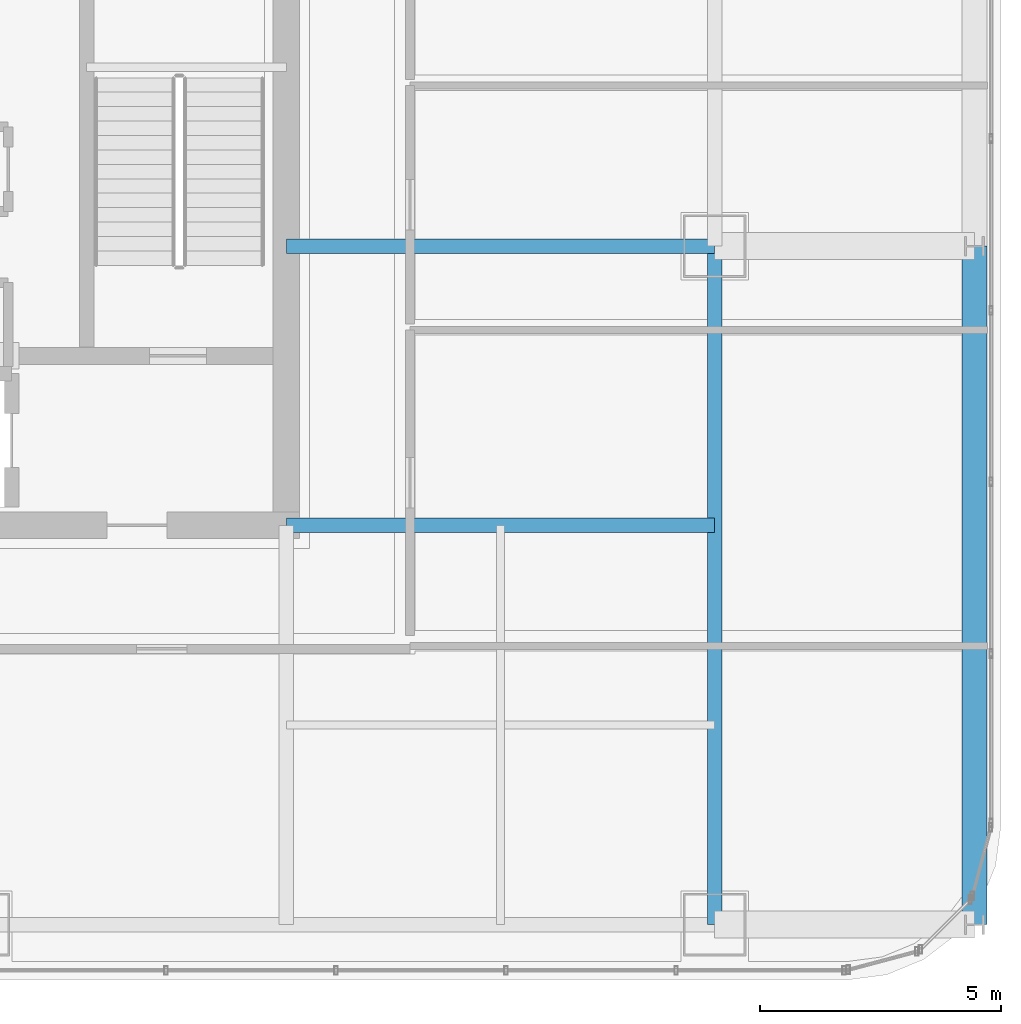
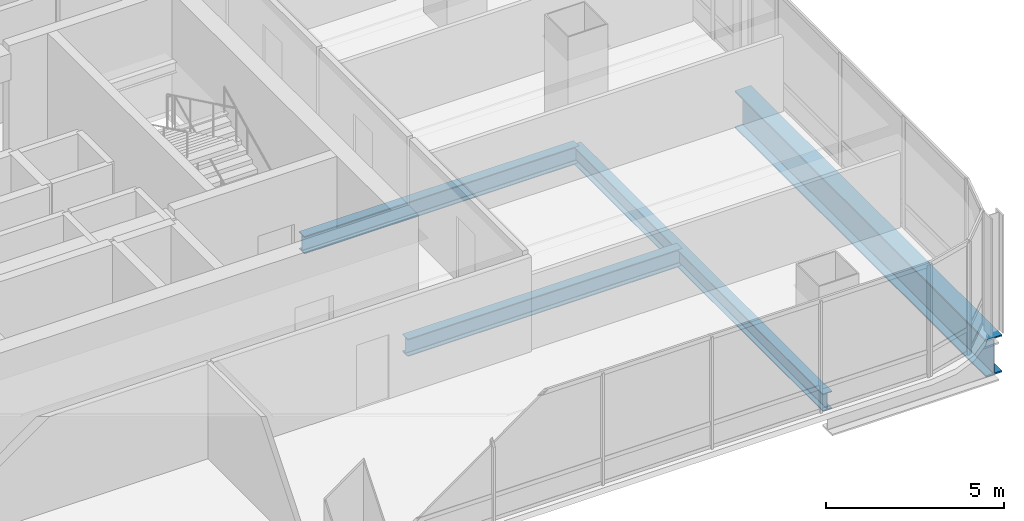
# One storey, part 16 of 39: 4 beams.
"""IFC4 building model written with IfcOpenShell, lengths in metres."""

from ifc_helpers import new_model, si_unit, direction, frame, origin, origin_2d, place, context, subcontext, project, spatial, i_section, extrude, material, material_profile, profile_set, type_object, element, save


model = new_model("IFC4")

# Units and contexts
model_context = context("Model", 3, precision=1e-05, world=origin(), true_north=direction((0.0, 1.0)))
body_context = subcontext(model_context, "Body", "Model", "MODEL_VIEW")
ifc_project = project(units=[si_unit("LENGTHUNIT", "METRE"), si_unit("AREAUNIT", "SQUARE_METRE"), si_unit("VOLUMEUNIT", "CUBIC_METRE"), si_unit("PLANEANGLEUNIT", "RADIAN"), si_unit("MASSUNIT", "GRAM", prefix="KILO")], contexts=[model_context])

# Site, building, storey
site_placement = place(None, origin())
site = spatial("IfcSite", under=ifc_project, at=site_placement, CompositionType="ELEMENT")
building_placement = place(site_placement, origin())
building = spatial("IfcBuilding", under=site, at=building_placement, Name="Punatoya Terracotta Tower", CompositionType="ELEMENT")
storey_placement = place(building_placement, frame((0.0, 0.0, 275.699951171875)))
storey = spatial("IfcBuildingStorey", under=building, at=storey_placement, Name="L65", CompositionType="ELEMENT", Elevation=275.699951171875)

# Beams
ifc_material_1 = material(Name="Steel S355", Category="steel")
ifc_material_profile_1 = material_profile(ifc_material_1, i_section(OverallWidth=0.300048828125, OverallDepth=0.60009765625, WebThickness=0.015380859375, FlangeThickness=0.030029296875, FilletRadius=0.01806640625, at=origin_2d()))
ifc_profile_set_1 = profile_set([ifc_material_profile_1], Name="Steel S355")
beam_type_1 = type_object("IfcBeamType", Name="BM-PRI-600", PredefinedType="BEAM", material=ifc_profile_set_1)
beam_1_placement = place(storey_placement, frame((19.10009765625, -17.5, -0.5), z_axis=(0.0, 1.0, 0.0), x_axis=(-1.0, 0.0, 0.0)))
element("IfcBeam", 1, at=beam_1_placement, inside=storey, type_object=beam_type_1, Name="BM-L65-RG-E1", PredefinedType="BEAM", context=body_context, shape_type="SweptSolid", body=[
    extrude(i_section(OverallWidth=0.300048828125, OverallDepth=0.60009765625, WebThickness=0.015380859375, FlangeThickness=0.030029296875, FilletRadius=0.01806640625, at=origin_2d()), origin(), (0.0, 0.0, 1.0), 14.10009765625),
])
for number, where, z_axis, x_axis, name in (
    (2, (10.199951171875, -9.199951171875, -0.5), (1.0, 0.0, 0.0), (0.0, 1.0, 0.0), "BM-L65-PR-ES"),
    (3, (10.199951171875, -3.39990234375, -0.5), (1.0, 0.0, 0.0), (0.0, 1.0, 0.0), "BM-L65-PR-ED"),
):
    element("IfcBeam", number, at=place(storey_placement, frame(where, z_axis=z_axis, x_axis=x_axis)), inside=storey, type_object=beam_type_1, Name=name, PredefinedType="BEAM", context=body_context, shape_type="SweptSolid", body=[
        extrude(i_section(OverallWidth=0.300048828125, OverallDepth=0.60009765625, WebThickness=0.015380859375, FlangeThickness=0.030029296875, FilletRadius=0.01806640625, at=origin_2d()), origin(), (0.0, 0.0, 1.0), 8.900146484375),
    ])
ifc_material_2 = material(Name="Steel S460", Category="steel")
ifc_material_profile_2 = material_profile(ifc_material_2, i_section(OverallWidth=0.52001953125, OverallDepth=1.280029296875, WebThickness=0.031982421875, FlangeThickness=0.050048828125, FilletRadius=0.01806640625, at=origin_2d()))
ifc_profile_set_2 = profile_set([ifc_material_profile_2], Name="Steel S460")
beam_type_2 = type_object("IfcBeamType", Name="BM-TG-NCK", PredefinedType="BEAM", material=ifc_profile_set_2)
beam_2_placement = place(storey_placement, frame((24.5, -17.5, -0.83984375), z_axis=(0.0, 1.0, 0.0), x_axis=(-1.0, 0.0, 0.0)))
element("IfcBeam", 4, at=beam_2_placement, inside=storey, type_object=beam_type_2, Name="BM-L65-PER-E1", PredefinedType="BEAM", context=body_context, shape_type="SweptSolid", body=[
    extrude(i_section(OverallWidth=0.52001953125, OverallDepth=1.280029296875, WebThickness=0.031982421875, FlangeThickness=0.050048828125, FilletRadius=0.01806640625, at=origin_2d()), origin(), (0.0, 0.0, 1.0), 14.10009765625),
])

save(model, "model.ifc")
